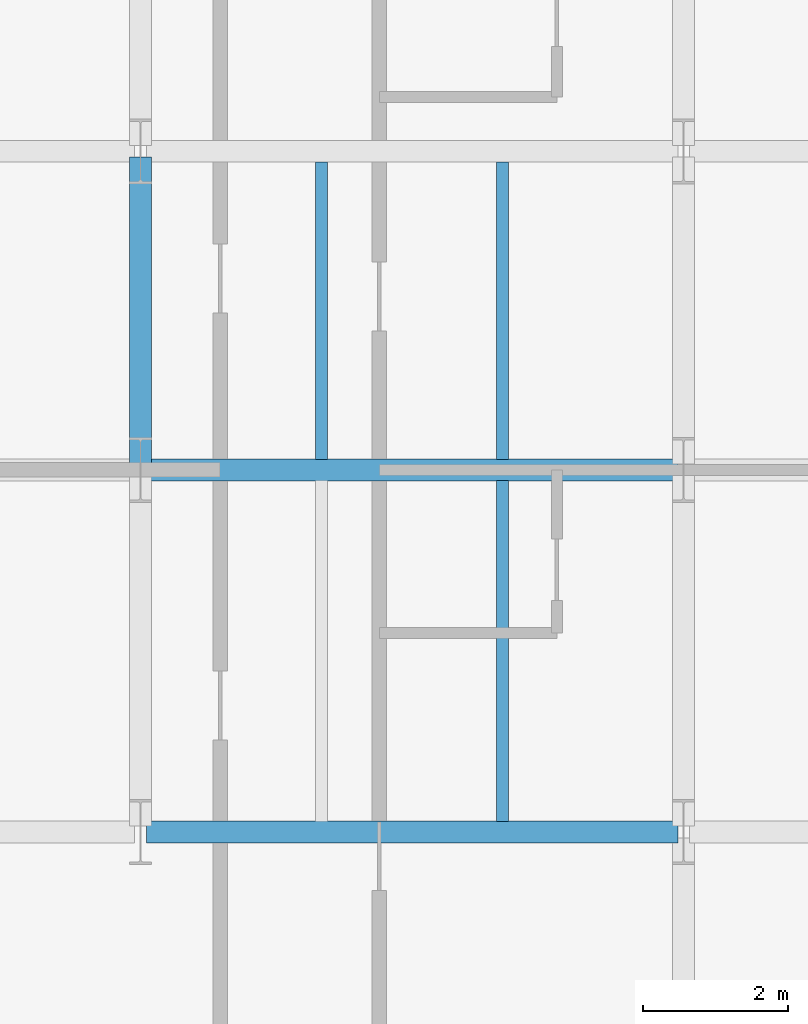
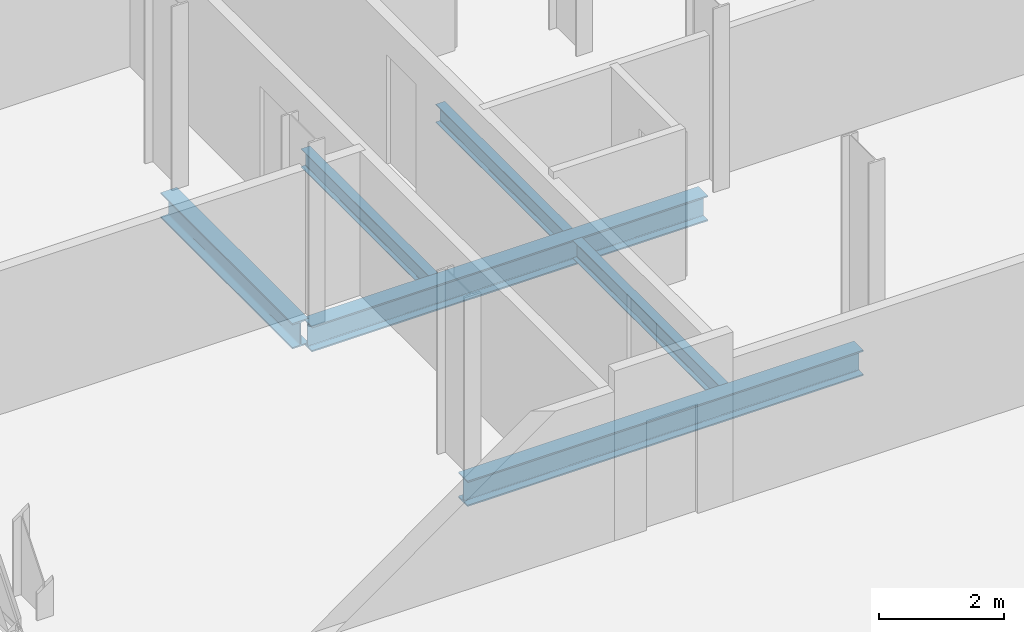
# One storey, part 6 of 32: 6 beams.
"""IFC4 building model written with IfcOpenShell, lengths in metres."""

from ifc_helpers import new_model, si_unit, direction, frame, origin, origin_2d, place, context, subcontext, project, spatial, i_section, extrude, material, material_profile, profile_set, type_object, element, save


model = new_model("IFC4")

# Units and contexts
model_context = context("Model", 3, precision=1e-05, world=origin(), true_north=direction((0.0, 1.0)))
body_context = subcontext(model_context, "Body", "Model", "MODEL_VIEW")
ifc_project = project(units=[si_unit("LENGTHUNIT", "METRE"), si_unit("AREAUNIT", "SQUARE_METRE"), si_unit("VOLUMEUNIT", "CUBIC_METRE"), si_unit("PLANEANGLEUNIT", "RADIAN"), si_unit("MASSUNIT", "GRAM", prefix="KILO")], contexts=[model_context])

# Site, building, storey
site_placement = place(None, origin())
site = spatial("IfcSite", under=ifc_project, at=site_placement, CompositionType="ELEMENT")
building_placement = place(site_placement, origin())
building = spatial("IfcBuilding", under=site, at=building_placement, Name="Catumbela Crestline Tower", CompositionType="ELEMENT")
storey_placement = place(building_placement, frame((0.0, 0.0, 61.8)))
storey = spatial("IfcBuildingStorey", under=building, at=storey_placement, Name="L15", CompositionType="ELEMENT", Elevation=61.8)

# Beams
ifc_material = material(Name="Structural steel S355J2", Category="steel")
ifc_material_profile_1 = material_profile(ifc_material, i_section(OverallWidth=0.3, OverallDepth=0.5, WebThickness=0.0145, FlangeThickness=0.028, FilletRadius=0.027, at=origin_2d()), Name="HEB 500")
ifc_profile_set_1 = profile_set([ifc_material_profile_1], Name="Structural steel S355J2")
beam_type_1 = type_object("IfcBeamType", Name="BG-HEB500", PredefinedType="BEAM", material=ifc_profile_set_1)
for number, where, z_axis, x_axis, name in (
    (1, (8.58, 8.6, -0.51), (1.0, 0.0, 0.0), (0.0, 1.0, 0.0), "L15 Beam BM-L15-WEW49"),
    (2, (8.58, 13.6, -0.51), (1.0, 0.0, 0.0), (0.0, 1.0, 0.0), "L15 Beam BM-L15-WEW52"),
):
    element("IfcBeam", number, at=place(storey_placement, frame(where, z_axis=z_axis, x_axis=x_axis)), inside=storey, type_object=beam_type_1, Name=name, PredefinedType="BEAM", context=body_context, shape_type="SweptSolid", body=[
        extrude(i_section(OverallWidth=0.3, OverallDepth=0.5, WebThickness=0.0145, FlangeThickness=0.028, FilletRadius=0.027, at=origin_2d()), origin(), (0.0, 0.0, 1.0), 7.34),
    ])
beam_1_placement = place(storey_placement, frame((8.5, 13.68, -0.51), z_axis=(0.0, 1.0, 0.0), x_axis=(-1.0, 0.0, 0.0)))
element("IfcBeam", 3, at=beam_1_placement, inside=storey, type_object=beam_type_1, Name="L15 Beam BM-L15-WNS62", PredefinedType="BEAM", context=body_context, shape_type="SweptSolid", body=[
    extrude(i_section(OverallWidth=0.3, OverallDepth=0.5, WebThickness=0.0145, FlangeThickness=0.028, FilletRadius=0.027, at=origin_2d()), origin(), (0.0, 0.0, 1.0), 4.24),
])
ifc_material_profile_2 = material_profile(ifc_material, i_section(OverallWidth=0.17, OverallDepth=0.36, WebThickness=0.008, FlangeThickness=0.0127, FilletRadius=0.018, at=origin_2d()), Name="IPE 360")
ifc_profile_set_2 = profile_set([ifc_material_profile_2], Name="Structural steel S355J2")
beam_type_2 = type_object("IfcBeamType", Name="BJ-IPE360", PredefinedType="JOIST", material=ifc_profile_set_2)
beam_2_placement = place(storey_placement, frame((13.5, 8.747, -0.44), z_axis=(0.0, 1.0, 0.0), x_axis=(-1.0, 0.0, 0.0)))
element("IfcBeam", 4, at=beam_2_placement, inside=storey, type_object=beam_type_2, Name="L15 Joist JS-L15-WG73", PredefinedType="JOIST", context=body_context, shape_type="SweptSolid", body=[
    extrude(i_section(OverallWidth=0.17, OverallDepth=0.36, WebThickness=0.008, FlangeThickness=0.0127, FilletRadius=0.018, at=origin_2d()), origin(), (0.0, 0.0, 1.0), 4.706),
])
for number, where, z_axis, x_axis, name in (
    (5, (11.0, 13.747, -0.44), (0.0, 1.0, 0.0), (-1.0, 0.0, 0.0), "L15 Joist JS-L15-WG78"),
    (6, (13.5, 13.747, -0.44), (0.0, 1.0, 0.0), (-1.0, 0.0, 0.0), "L15 Joist JS-L15-WG79"),
):
    element("IfcBeam", number, at=place(storey_placement, frame(where, z_axis=z_axis, x_axis=x_axis)), inside=storey, type_object=beam_type_2, Name=name, PredefinedType="JOIST", context=body_context, shape_type="SweptSolid", body=[
        extrude(i_section(OverallWidth=0.17, OverallDepth=0.36, WebThickness=0.008, FlangeThickness=0.0127, FilletRadius=0.018, at=origin_2d()), origin(), (0.0, 0.0, 1.0), 4.106),
    ])

save(model, "model.ifc")
